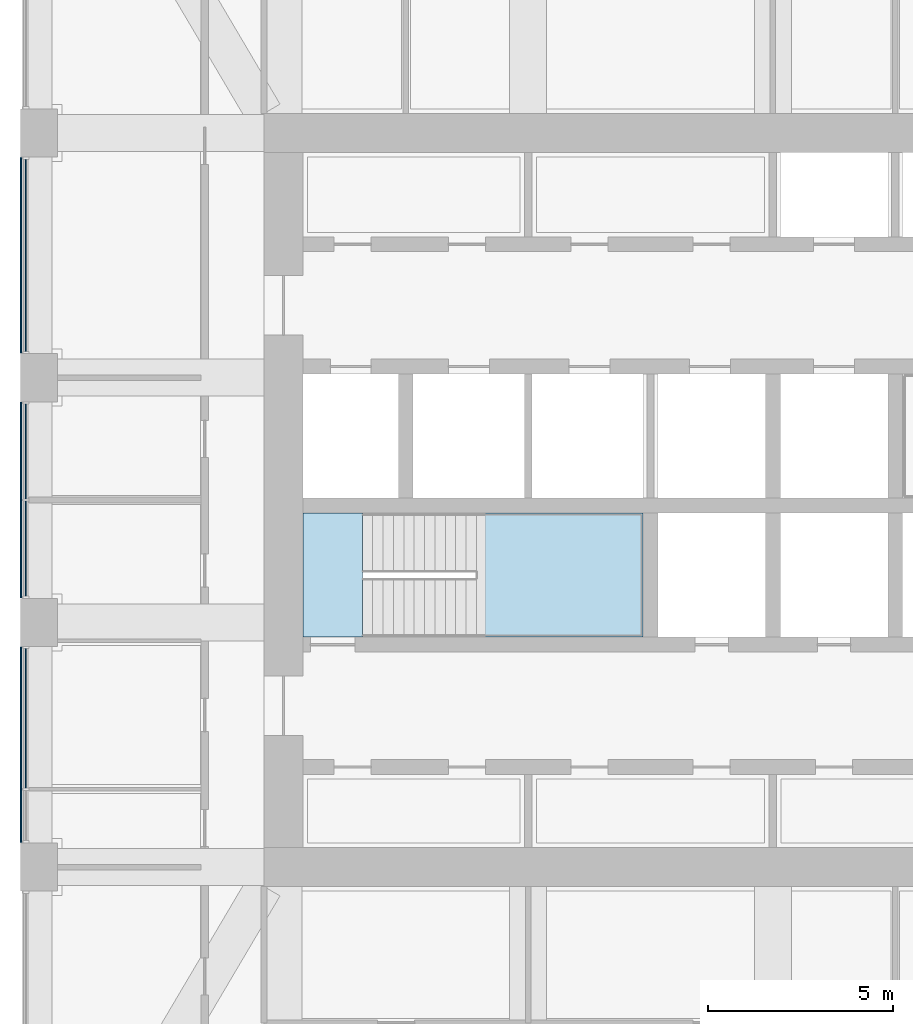
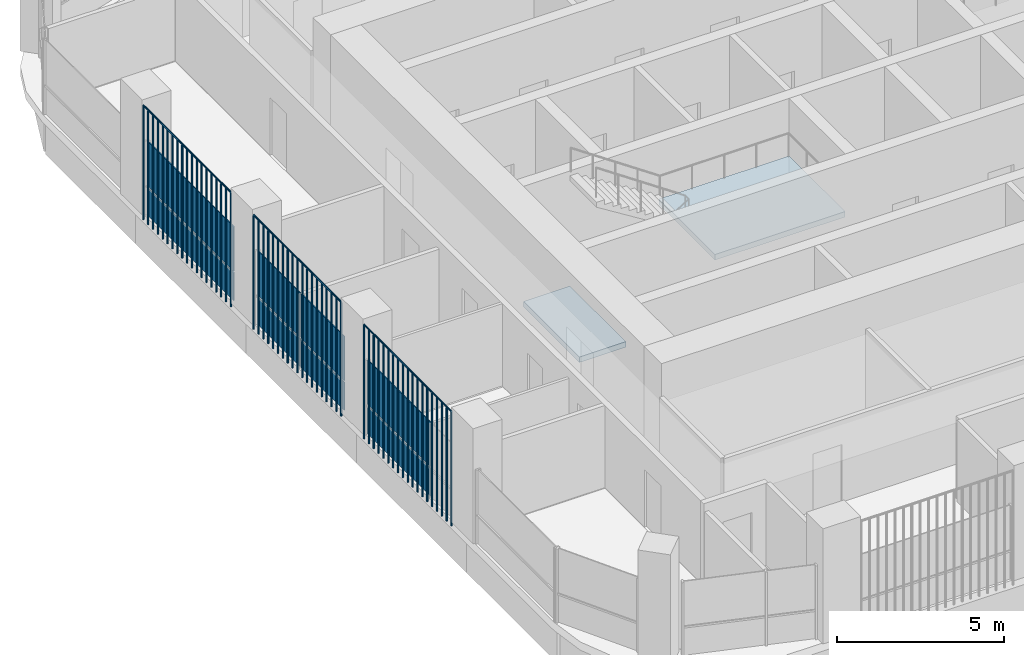
# One storey, part 9 of 21: 11 plates, 2 slabs, 4 elements without a shape of their own.
"""IFC4 building model written with IfcOpenShell, lengths in metres."""

from ifc_helpers import new_model, si_unit, direction, frame, origin, origin_2d, place, context, subcontext, project, spatial, polyline, rectangle, outline, extrude, material, layer, layer_set, type_object, element, aggregate, save


model = new_model("IFC4")

# Units and contexts
model_context = context("Model", 3, precision=1e-05, world=origin(), true_north=direction((0.0, 1.0)))
body_context = subcontext(model_context, "Body", "Model", "MODEL_VIEW")
ifc_project = project(units=[si_unit("LENGTHUNIT", "METRE"), si_unit("AREAUNIT", "SQUARE_METRE"), si_unit("VOLUMEUNIT", "CUBIC_METRE"), si_unit("PLANEANGLEUNIT", "RADIAN"), si_unit("MASSUNIT", "GRAM", prefix="KILO")], contexts=[model_context])

# Site, building, storey
site_placement = place(None, origin())
site = spatial("IfcSite", under=ifc_project, at=site_placement, CompositionType="ELEMENT")
building_placement = place(site_placement, origin())
building = spatial("IfcBuilding", under=site, at=building_placement, Name="Cobogo Forest Laboratory Tower", CompositionType="ELEMENT")
storey_placement = place(building_placement, frame((0.0, 0.0, 250.199951171875)))
storey = spatial("IfcBuildingStorey", under=building, at=storey_placement, Name="L57", CompositionType="ELEMENT", Elevation=250.199951171875)

# Curtain wall, plates
ifc_material_1 = material(Name="Aluminium curtain wall", Category="aluminium")
curtain_wall_type = type_object("IfcCurtainWallType", Name="CW-2 unitised curtain wall, solar control glazing, laboratory floors zones C and D", PredefinedType="USERDEFINED", material=ifc_material_1)
curtain_wall_1_placement = place(storey_placement, origin())
curtain_wall_1 = element("IfcCurtainWall", 1, at=curtain_wall_1_placement, inside=storey, type_object=curtain_wall_type, Name="Curtain wall 21 L57", ObjectType="UNITISED CURTAIN WALL", PredefinedType="USERDEFINED")
ifc_material_2 = material(Name="Solar control insulated glass", Category="glass")
ifc_layer_1 = layer(ifc_material_2, 0.031982421875)
ifc_layer_set_1 = layer_set([ifc_layer_1], Name="GP-2 solar control glass unit 32")
plate_type_1 = type_object("IfcPlateType", Name="GP-2 solar control glass unit 32", PredefinedType="CURTAIN_PANEL", material=ifc_layer_set_1)
plate_1_placement = place(storey_placement, frame((6.25, 29.699951171875, 0.0), z_axis=(0.0, 0.0, 1.0), x_axis=(0.0, -1.0, 0.0)))
plate_1 = element("IfcPlate", 2, at=plate_1_placement, type_object=plate_type_1, Name="CW-2 panel 1.1", PredefinedType="CURTAIN_PANEL", context=body_context, shape_type="SweptSolid", body=[
    extrude(rectangle(XDim=5.179931640625, YDim=0.031982421875, at=origin_2d()), origin(), (0.0, 0.0, 1.0), 1.02001953125),
])
plate_2_placement = place(storey_placement, frame((6.25, 29.699951171875, 1.080078125), z_axis=(0.0, 0.0, 1.0), x_axis=(0.0, -1.0, 0.0)))
plate_2 = element("IfcPlate", 3, at=plate_2_placement, type_object=plate_type_1, Name="CW-2 panel 1.2", PredefinedType="CURTAIN_PANEL", context=body_context, shape_type="SweptSolid", body=[
    extrude(rectangle(XDim=5.179931640625, YDim=0.031982421875, at=origin_2d()), origin(), (0.0, 0.0, 1.0), 1.6201171875),
])
aggregate(curtain_wall_1, [plate_1, plate_2])

curtain_wall_2_placement = place(storey_placement, origin())
curtain_wall_2 = element("IfcCurtainWall", 4, at=curtain_wall_2_placement, inside=storey, type_object=curtain_wall_type, Name="Curtain wall 22 L57", ObjectType="UNITISED CURTAIN WALL", PredefinedType="USERDEFINED")
plate_3_placement = place(storey_placement, frame((6.25, 24.409912109375, 0.0), z_axis=(0.0, 0.0, 1.0), x_axis=(0.0, -1.0, 0.0)))
plate_3 = element("IfcPlate", 5, at=plate_3_placement, type_object=plate_type_1, Name="CW-2 panel 1.1", PredefinedType="CURTAIN_PANEL", context=body_context, shape_type="SweptSolid", body=[
    extrude(rectangle(XDim=2.56005859375, YDim=0.031982421875, at=origin_2d()), origin(), (0.0, 0.0, 1.0), 1.02001953125),
])
plate_4_placement = place(storey_placement, frame((6.25, 24.409912109375, 1.080078125), z_axis=(0.0, 0.0, 1.0), x_axis=(0.0, -1.0, 0.0)))
plate_4 = element("IfcPlate", 6, at=plate_4_placement, type_object=plate_type_1, Name="CW-2 panel 1.2", PredefinedType="CURTAIN_PANEL", context=body_context, shape_type="SweptSolid", body=[
    extrude(rectangle(XDim=2.56005859375, YDim=0.031982421875, at=origin_2d()), origin(), (0.0, 0.0, 1.0), 1.6201171875),
])
plate_5_placement = place(storey_placement, frame((6.25, 21.7900390625, 0.0), z_axis=(0.0, 0.0, 1.0), x_axis=(0.0, -1.0, 0.0)))
plate_5 = element("IfcPlate", 7, at=plate_5_placement, type_object=plate_type_1, Name="CW-2 panel 2.1", PredefinedType="CURTAIN_PANEL", context=body_context, shape_type="SweptSolid", body=[
    extrude(rectangle(XDim=2.56005859375, YDim=0.031982421875, at=origin_2d()), origin(), (0.0, 0.0, 1.0), 1.02001953125),
])
plate_6_placement = place(storey_placement, frame((6.25, 21.7900390625, 1.080078125), z_axis=(0.0, 0.0, 1.0), x_axis=(0.0, -1.0, 0.0)))
plate_6 = element("IfcPlate", 8, at=plate_6_placement, type_object=plate_type_1, Name="CW-2 panel 2.2", PredefinedType="CURTAIN_PANEL", context=body_context, shape_type="SweptSolid", body=[
    extrude(rectangle(XDim=2.56005859375, YDim=0.031982421875, at=origin_2d()), origin(), (0.0, 0.0, 1.0), 1.6201171875),
])
aggregate(curtain_wall_2, [plate_3, plate_4, plate_5, plate_6])

curtain_wall_3_placement = place(storey_placement, origin())
curtain_wall_3 = element("IfcCurtainWall", 9, at=curtain_wall_3_placement, inside=storey, type_object=curtain_wall_type, Name="Curtain wall 23 L57", ObjectType="UNITISED CURTAIN WALL", PredefinedType="USERDEFINED")
plate_7_placement = place(storey_placement, frame((6.25, 17.2099609375, 0.0), z_axis=(0.0, 0.0, 1.0), x_axis=(0.0, -1.0, 0.0)))
plate_7 = element("IfcPlate", 10, at=plate_7_placement, type_object=plate_type_1, Name="CW-2 panel 1.1", PredefinedType="CURTAIN_PANEL", context=body_context, shape_type="SweptSolid", body=[
    extrude(rectangle(XDim=3.760009765625, YDim=0.031982421875, at=origin_2d()), origin(), (0.0, 0.0, 1.0), 1.02001953125),
])
plate_8_placement = place(storey_placement, frame((6.25, 17.2099609375, 1.080078125), z_axis=(0.0, 0.0, 1.0), x_axis=(0.0, -1.0, 0.0)))
plate_8 = element("IfcPlate", 11, at=plate_8_placement, type_object=plate_type_1, Name="CW-2 panel 1.2", PredefinedType="CURTAIN_PANEL", context=body_context, shape_type="SweptSolid", body=[
    extrude(rectangle(XDim=3.760009765625, YDim=0.031982421875, at=origin_2d()), origin(), (0.0, 0.0, 1.0), 1.6201171875),
])
aggregate(curtain_wall_3, [plate_7, plate_8])

# Stair, slabs
ifc_material_3 = material(Name="Precast concrete HA-40 (C40/50)", Category="concrete")
stair_type = type_object("IfcStairType", Name="ST24 exit stair 24 risers", PredefinedType="HALF_TURN_STAIR", material=ifc_material_3)
stair_placement = place(storey_placement, origin())
stair = element("IfcStair", 12, at=stair_placement, inside=storey, type_object=stair_type, Name="Stair 1 L57 to L58", PredefinedType="HALF_TURN_STAIR")
ifc_material_4 = material(Name="Concrete HA-40 (C40/50)", Category="concrete")
ifc_layer_2 = layer(ifc_material_4, 0.199951171875)
ifc_layer_set_2 = layer_set([ifc_layer_2], Name="SL stair landing 200")
slab_type = type_object("IfcSlabType", Name="SL stair landing 200", PredefinedType="LANDING", material=ifc_layer_set_2)
slab_1_placement = place(storey_placement, frame((0.0, 0.0, -0.199951171875)))
slab_1 = element("IfcSlab", 13, at=slab_1_placement, type_object=slab_type, Name="ST1 landing 1", PredefinedType="LANDING", context=body_context, shape_type="SweptSolid", body=[
    extrude(outline(polyline([(13.72509765625, 19.39990234375), (15.326904296875, 19.39990234375), (15.326904296875, 22.75), (13.72509765625, 22.75), (13.72509765625, 19.39990234375)])), origin(), (0.0, 0.0, 1.0), 0.199951171875),
])
slab_2_placement = place(storey_placement, frame((0.0, 0.0, 1.900146484375)))
slab_2 = element("IfcSlab", 14, at=slab_2_placement, type_object=slab_type, Name="ST1 landing 2", PredefinedType="LANDING", context=body_context, shape_type="SweptSolid", body=[
    extrude(outline(polyline([(18.403076171875, 19.39990234375), (22.89990234375, 19.39990234375), (22.89990234375, 22.75), (18.403076171875, 22.75), (18.403076171875, 19.39990234375)])), origin(), (0.0, 0.0, 1.0), 0.199951171875),
])
aggregate(stair, [slab_1, slab_2])

# Plates
ifc_material_5 = material(Name="Terracotta", Category="masonry")
plate_type_2 = type_object("IfcPlateType", Name="TB1 terracotta baguette screen", PredefinedType="USERDEFINED", material=ifc_material_5)
plate_9_placement = place(storey_placement, frame((6.1220703125, 13.88134765625, -0.14990234375)))
element("IfcPlate", 15, at=plate_9_placement, inside=storey, type_object=plate_type_2, Name="Baguette screen W1 L57", ObjectType="BAGUETTE SCREEN", PredefinedType="USERDEFINED", context=body_context, shape_type="SweptSolid", body=[
    extrude(outline(polyline([(0.02880859375, 0.011962890625), (0.011962890625, 0.02880859375), (-0.011962890625, 0.02880859375), (-0.02880859375, 0.011962890625), (-0.02880859375, -0.011962890625), (-0.011962890625, -0.02880859375), (0.011962890625, -0.02880859375), (0.02880859375, -0.011962890625), (0.02880859375, 0.011962890625)])), frame((0.0, 0.0, 4.168701171875), z_axis=(0.0, 1.0, 0.0), x_axis=(-1.0, 0.0, 0.0)), (0.0, 0.0, 1.0), 5.2373046875),
    extrude(outline(polyline([(0.02880859375, 0.011962890625), (0.011962890625, 0.02880859375), (-0.011962890625, 0.02880859375), (-0.02880859375, 0.011962890625), (-0.02880859375, -0.011962890625), (-0.011962890625, -0.02880859375), (0.011962890625, -0.02880859375), (0.02880859375, -0.011962890625), (0.02880859375, 0.011962890625)])), origin(), (0.0, 0.0, 1.0), 4.137451171875),
    extrude(outline(polyline([(0.02880859375, 0.011962890625), (0.011962890625, 0.02880859375), (-0.011962890625, 0.02880859375), (-0.02880859375, 0.011962890625), (-0.02880859375, -0.011962890625), (-0.011962890625, -0.02880859375), (0.011962890625, -0.02880859375), (0.02880859375, -0.011962890625), (0.02880859375, 0.011962890625)])), frame((0.0, 0.291015625, 0.0)), (0.0, 0.0, 1.0), 4.137451171875),
    extrude(outline(polyline([(0.02880859375, 0.011962890625), (0.011962890625, 0.02880859375), (-0.011962890625, 0.02880859375), (-0.02880859375, 0.011962890625), (-0.02880859375, -0.011962890625), (-0.011962890625, -0.02880859375), (0.011962890625, -0.02880859375), (0.02880859375, -0.011962890625), (0.02880859375, 0.011962890625)])), frame((0.0, 0.58203125, 0.0)), (0.0, 0.0, 1.0), 4.137451171875),
    extrude(outline(polyline([(0.02880859375, 0.011962890625), (0.011962890625, 0.02880859375), (-0.011962890625, 0.02880859375), (-0.02880859375, 0.011962890625), (-0.02880859375, -0.011962890625), (-0.011962890625, -0.02880859375), (0.011962890625, -0.02880859375), (0.02880859375, -0.011962890625), (0.02880859375, 0.011962890625)])), frame((0.0, 0.872802734375, 0.0)), (0.0, 0.0, 1.0), 4.137451171875),
    extrude(outline(polyline([(0.02880859375, 0.011962890625), (0.011962890625, 0.02880859375), (-0.011962890625, 0.02880859375), (-0.02880859375, 0.011962890625), (-0.02880859375, -0.011962890625), (-0.011962890625, -0.02880859375), (0.011962890625, -0.02880859375), (0.02880859375, -0.011962890625), (0.02880859375, 0.011962890625)])), frame((0.0, 1.163818359375, 0.0)), (0.0, 0.0, 1.0), 4.137451171875),
    extrude(outline(polyline([(0.02880859375, 0.011962890625), (0.011962890625, 0.02880859375), (-0.011962890625, 0.02880859375), (-0.02880859375, 0.011962890625), (-0.02880859375, -0.011962890625), (-0.011962890625, -0.02880859375), (0.011962890625, -0.02880859375), (0.02880859375, -0.011962890625), (0.02880859375, 0.011962890625)])), frame((0.0, 1.454833984375, 0.0)), (0.0, 0.0, 1.0), 4.137451171875),
    extrude(outline(polyline([(0.02880859375, 0.011962890625), (0.011962890625, 0.02880859375), (-0.011962890625, 0.02880859375), (-0.02880859375, 0.011962890625), (-0.02880859375, -0.011962890625), (-0.011962890625, -0.02880859375), (0.011962890625, -0.02880859375), (0.02880859375, -0.011962890625), (0.02880859375, 0.011962890625)])), frame((0.0, 1.745849609375, 0.0)), (0.0, 0.0, 1.0), 4.137451171875),
    extrude(outline(polyline([(0.02880859375, 0.011962890625), (0.011962890625, 0.02880859375), (-0.011962890625, 0.02880859375), (-0.02880859375, 0.011962890625), (-0.02880859375, -0.011962890625), (-0.011962890625, -0.02880859375), (0.011962890625, -0.02880859375), (0.02880859375, -0.011962890625), (0.02880859375, 0.011962890625)])), frame((0.0, 2.03662109375, 0.0)), (0.0, 0.0, 1.0), 4.137451171875),
    extrude(outline(polyline([(0.02880859375, 0.011962890625), (0.011962890625, 0.02880859375), (-0.011962890625, 0.02880859375), (-0.02880859375, 0.011962890625), (-0.02880859375, -0.011962890625), (-0.011962890625, -0.02880859375), (0.011962890625, -0.02880859375), (0.02880859375, -0.011962890625), (0.02880859375, 0.011962890625)])), frame((0.0, 2.32763671875, 0.0)), (0.0, 0.0, 1.0), 4.137451171875),
    extrude(outline(polyline([(0.02880859375, 0.011962890625), (0.011962890625, 0.02880859375), (-0.011962890625, 0.02880859375), (-0.02880859375, 0.011962890625), (-0.02880859375, -0.011962890625), (-0.011962890625, -0.02880859375), (0.011962890625, -0.02880859375), (0.02880859375, -0.011962890625), (0.02880859375, 0.011962890625)])), frame((0.0, 2.61865234375, 0.0)), (0.0, 0.0, 1.0), 4.137451171875),
    extrude(outline(polyline([(0.02880859375, 0.011962890625), (0.011962890625, 0.02880859375), (-0.011962890625, 0.02880859375), (-0.02880859375, 0.011962890625), (-0.02880859375, -0.011962890625), (-0.011962890625, -0.02880859375), (0.011962890625, -0.02880859375), (0.02880859375, -0.011962890625), (0.02880859375, 0.011962890625)])), frame((0.0, 2.90966796875, 0.0)), (0.0, 0.0, 1.0), 4.137451171875),
    extrude(outline(polyline([(0.02880859375, 0.011962890625), (0.011962890625, 0.02880859375), (-0.011962890625, 0.02880859375), (-0.02880859375, 0.011962890625), (-0.02880859375, -0.011962890625), (-0.011962890625, -0.02880859375), (0.011962890625, -0.02880859375), (0.02880859375, -0.011962890625), (0.02880859375, 0.011962890625)])), frame((0.0, 3.20068359375, 0.0)), (0.0, 0.0, 1.0), 4.137451171875),
    extrude(outline(polyline([(0.02880859375, 0.011962890625), (0.011962890625, 0.02880859375), (-0.011962890625, 0.02880859375), (-0.02880859375, 0.011962890625), (-0.02880859375, -0.011962890625), (-0.011962890625, -0.02880859375), (0.011962890625, -0.02880859375), (0.02880859375, -0.011962890625), (0.02880859375, 0.011962890625)])), frame((0.0, 3.491455078125, 0.0)), (0.0, 0.0, 1.0), 4.137451171875),
    extrude(outline(polyline([(0.02880859375, 0.011962890625), (0.011962890625, 0.02880859375), (-0.011962890625, 0.02880859375), (-0.02880859375, 0.011962890625), (-0.02880859375, -0.011962890625), (-0.011962890625, -0.02880859375), (0.011962890625, -0.02880859375), (0.02880859375, -0.011962890625), (0.02880859375, 0.011962890625)])), frame((0.0, 3.782470703125, 0.0)), (0.0, 0.0, 1.0), 4.137451171875),
    extrude(outline(polyline([(0.02880859375, 0.011962890625), (0.011962890625, 0.02880859375), (-0.011962890625, 0.02880859375), (-0.02880859375, 0.011962890625), (-0.02880859375, -0.011962890625), (-0.011962890625, -0.02880859375), (0.011962890625, -0.02880859375), (0.02880859375, -0.011962890625), (0.02880859375, 0.011962890625)])), frame((0.0, 4.073486328125, 0.0)), (0.0, 0.0, 1.0), 4.137451171875),
    extrude(outline(polyline([(0.02880859375, 0.011962890625), (0.011962890625, 0.02880859375), (-0.011962890625, 0.02880859375), (-0.02880859375, 0.011962890625), (-0.02880859375, -0.011962890625), (-0.011962890625, -0.02880859375), (0.011962890625, -0.02880859375), (0.02880859375, -0.011962890625), (0.02880859375, 0.011962890625)])), frame((0.0, 4.364501953125, 0.0)), (0.0, 0.0, 1.0), 4.137451171875),
    extrude(outline(polyline([(0.02880859375, 0.011962890625), (0.011962890625, 0.02880859375), (-0.011962890625, 0.02880859375), (-0.02880859375, 0.011962890625), (-0.02880859375, -0.011962890625), (-0.011962890625, -0.02880859375), (0.011962890625, -0.02880859375), (0.02880859375, -0.011962890625), (0.02880859375, 0.011962890625)])), frame((0.0, 4.6552734375, 0.0)), (0.0, 0.0, 1.0), 4.137451171875),
    extrude(outline(polyline([(0.02880859375, 0.011962890625), (0.011962890625, 0.02880859375), (-0.011962890625, 0.02880859375), (-0.02880859375, 0.011962890625), (-0.02880859375, -0.011962890625), (-0.011962890625, -0.02880859375), (0.011962890625, -0.02880859375), (0.02880859375, -0.011962890625), (0.02880859375, 0.011962890625)])), frame((0.0, 4.9462890625, 0.0)), (0.0, 0.0, 1.0), 4.137451171875),
    extrude(outline(polyline([(0.02880859375, 0.011962890625), (0.011962890625, 0.02880859375), (-0.011962890625, 0.02880859375), (-0.02880859375, 0.011962890625), (-0.02880859375, -0.011962890625), (-0.011962890625, -0.02880859375), (0.011962890625, -0.02880859375), (0.02880859375, -0.011962890625), (0.02880859375, 0.011962890625)])), frame((0.0, 5.2373046875, 0.0)), (0.0, 0.0, 1.0), 4.137451171875),
])
plate_10_placement = place(storey_placement, frame((6.1220703125, 20.481201171875, -0.14990234375)))
element("IfcPlate", 16, at=plate_10_placement, inside=storey, type_object=plate_type_2, Name="Baguette screen W2 L57", ObjectType="BAGUETTE SCREEN", PredefinedType="USERDEFINED", context=body_context, shape_type="SweptSolid", body=[
    extrude(outline(polyline([(0.02880859375, 0.011962890625), (0.011962890625, 0.02880859375), (-0.011962890625, 0.02880859375), (-0.02880859375, 0.011962890625), (-0.02880859375, -0.011962890625), (-0.011962890625, -0.02880859375), (0.011962890625, -0.02880859375), (0.02880859375, -0.011962890625), (0.02880859375, 0.011962890625)])), frame((0.0, 0.0, 4.168701171875), z_axis=(0.0, 1.0, 0.0), x_axis=(-1.0, 0.0, 0.0)), (0.0, 0.0, 1.0), 5.237548828125),
    extrude(outline(polyline([(0.02880859375, 0.011962890625), (0.011962890625, 0.02880859375), (-0.011962890625, 0.02880859375), (-0.02880859375, 0.011962890625), (-0.02880859375, -0.011962890625), (-0.011962890625, -0.02880859375), (0.011962890625, -0.02880859375), (0.02880859375, -0.011962890625), (0.02880859375, 0.011962890625)])), origin(), (0.0, 0.0, 1.0), 4.137451171875),
    extrude(outline(polyline([(0.02880859375, 0.011962890625), (0.011962890625, 0.02880859375), (-0.011962890625, 0.02880859375), (-0.02880859375, 0.011962890625), (-0.02880859375, -0.011962890625), (-0.011962890625, -0.02880859375), (0.011962890625, -0.02880859375), (0.02880859375, -0.011962890625), (0.02880859375, 0.011962890625)])), frame((0.0, 0.291015625, 0.0)), (0.0, 0.0, 1.0), 4.137451171875),
    extrude(outline(polyline([(0.02880859375, 0.011962890625), (0.011962890625, 0.02880859375), (-0.011962890625, 0.02880859375), (-0.02880859375, 0.011962890625), (-0.02880859375, -0.011962890625), (-0.011962890625, -0.02880859375), (0.011962890625, -0.02880859375), (0.02880859375, -0.011962890625), (0.02880859375, 0.011962890625)])), frame((0.0, 0.58203125, 0.0)), (0.0, 0.0, 1.0), 4.137451171875),
    extrude(outline(polyline([(0.02880859375, 0.011962890625), (0.011962890625, 0.02880859375), (-0.011962890625, 0.02880859375), (-0.02880859375, 0.011962890625), (-0.02880859375, -0.011962890625), (-0.011962890625, -0.02880859375), (0.011962890625, -0.02880859375), (0.02880859375, -0.011962890625), (0.02880859375, 0.011962890625)])), frame((0.0, 0.873046875, 0.0)), (0.0, 0.0, 1.0), 4.137451171875),
    extrude(outline(polyline([(0.02880859375, 0.011962890625), (0.011962890625, 0.02880859375), (-0.011962890625, 0.02880859375), (-0.02880859375, 0.011962890625), (-0.02880859375, -0.011962890625), (-0.011962890625, -0.02880859375), (0.011962890625, -0.02880859375), (0.02880859375, -0.011962890625), (0.02880859375, 0.011962890625)])), frame((0.0, 1.163818359375, 0.0)), (0.0, 0.0, 1.0), 4.137451171875),
    extrude(outline(polyline([(0.02880859375, 0.011962890625), (0.011962890625, 0.02880859375), (-0.011962890625, 0.02880859375), (-0.02880859375, 0.011962890625), (-0.02880859375, -0.011962890625), (-0.011962890625, -0.02880859375), (0.011962890625, -0.02880859375), (0.02880859375, -0.011962890625), (0.02880859375, 0.011962890625)])), frame((0.0, 1.454833984375, 0.0)), (0.0, 0.0, 1.0), 4.137451171875),
    extrude(outline(polyline([(0.02880859375, 0.011962890625), (0.011962890625, 0.02880859375), (-0.011962890625, 0.02880859375), (-0.02880859375, 0.011962890625), (-0.02880859375, -0.011962890625), (-0.011962890625, -0.02880859375), (0.011962890625, -0.02880859375), (0.02880859375, -0.011962890625), (0.02880859375, 0.011962890625)])), frame((0.0, 1.745849609375, 0.0)), (0.0, 0.0, 1.0), 4.137451171875),
    extrude(outline(polyline([(0.02880859375, 0.011962890625), (0.011962890625, 0.02880859375), (-0.011962890625, 0.02880859375), (-0.02880859375, 0.011962890625), (-0.02880859375, -0.011962890625), (-0.011962890625, -0.02880859375), (0.011962890625, -0.02880859375), (0.02880859375, -0.011962890625), (0.02880859375, 0.011962890625)])), frame((0.0, 2.036865234375, 0.0)), (0.0, 0.0, 1.0), 4.137451171875),
    extrude(outline(polyline([(0.02880859375, 0.011962890625), (0.011962890625, 0.02880859375), (-0.011962890625, 0.02880859375), (-0.02880859375, 0.011962890625), (-0.02880859375, -0.011962890625), (-0.011962890625, -0.02880859375), (0.011962890625, -0.02880859375), (0.02880859375, -0.011962890625), (0.02880859375, 0.011962890625)])), frame((0.0, 2.327880859375, 0.0)), (0.0, 0.0, 1.0), 4.137451171875),
    extrude(outline(polyline([(0.02880859375, 0.011962890625), (0.011962890625, 0.02880859375), (-0.011962890625, 0.02880859375), (-0.02880859375, 0.011962890625), (-0.02880859375, -0.011962890625), (-0.011962890625, -0.02880859375), (0.011962890625, -0.02880859375), (0.02880859375, -0.011962890625), (0.02880859375, 0.011962890625)])), frame((0.0, 2.61865234375, 0.0)), (0.0, 0.0, 1.0), 4.137451171875),
    extrude(outline(polyline([(0.02880859375, 0.011962890625), (0.011962890625, 0.02880859375), (-0.011962890625, 0.02880859375), (-0.02880859375, 0.011962890625), (-0.02880859375, -0.011962890625), (-0.011962890625, -0.02880859375), (0.011962890625, -0.02880859375), (0.02880859375, -0.011962890625), (0.02880859375, 0.011962890625)])), frame((0.0, 2.90966796875, 0.0)), (0.0, 0.0, 1.0), 4.137451171875),
    extrude(outline(polyline([(0.02880859375, 0.011962890625), (0.011962890625, 0.02880859375), (-0.011962890625, 0.02880859375), (-0.02880859375, 0.011962890625), (-0.02880859375, -0.011962890625), (-0.011962890625, -0.02880859375), (0.011962890625, -0.02880859375), (0.02880859375, -0.011962890625), (0.02880859375, 0.011962890625)])), frame((0.0, 3.20068359375, 0.0)), (0.0, 0.0, 1.0), 4.137451171875),
    extrude(outline(polyline([(0.02880859375, 0.011962890625), (0.011962890625, 0.02880859375), (-0.011962890625, 0.02880859375), (-0.02880859375, 0.011962890625), (-0.02880859375, -0.011962890625), (-0.011962890625, -0.02880859375), (0.011962890625, -0.02880859375), (0.02880859375, -0.011962890625), (0.02880859375, 0.011962890625)])), frame((0.0, 3.49169921875, 0.0)), (0.0, 0.0, 1.0), 4.137451171875),
    extrude(outline(polyline([(0.02880859375, 0.011962890625), (0.011962890625, 0.02880859375), (-0.011962890625, 0.02880859375), (-0.02880859375, 0.011962890625), (-0.02880859375, -0.011962890625), (-0.011962890625, -0.02880859375), (0.011962890625, -0.02880859375), (0.02880859375, -0.011962890625), (0.02880859375, 0.011962890625)])), frame((0.0, 3.78271484375, 0.0)), (0.0, 0.0, 1.0), 4.137451171875),
    extrude(outline(polyline([(0.02880859375, 0.011962890625), (0.011962890625, 0.02880859375), (-0.011962890625, 0.02880859375), (-0.02880859375, 0.011962890625), (-0.02880859375, -0.011962890625), (-0.011962890625, -0.02880859375), (0.011962890625, -0.02880859375), (0.02880859375, -0.011962890625), (0.02880859375, 0.011962890625)])), frame((0.0, 4.07373046875, 0.0)), (0.0, 0.0, 1.0), 4.137451171875),
    extrude(outline(polyline([(0.02880859375, 0.011962890625), (0.011962890625, 0.02880859375), (-0.011962890625, 0.02880859375), (-0.02880859375, 0.011962890625), (-0.02880859375, -0.011962890625), (-0.011962890625, -0.02880859375), (0.011962890625, -0.02880859375), (0.02880859375, -0.011962890625), (0.02880859375, 0.011962890625)])), frame((0.0, 4.36474609375, 0.0)), (0.0, 0.0, 1.0), 4.137451171875),
    extrude(outline(polyline([(0.02880859375, 0.011962890625), (0.011962890625, 0.02880859375), (-0.011962890625, 0.02880859375), (-0.02880859375, 0.011962890625), (-0.02880859375, -0.011962890625), (-0.011962890625, -0.02880859375), (0.011962890625, -0.02880859375), (0.02880859375, -0.011962890625), (0.02880859375, 0.011962890625)])), frame((0.0, 4.655517578125, 0.0)), (0.0, 0.0, 1.0), 4.137451171875),
    extrude(outline(polyline([(0.02880859375, 0.011962890625), (0.011962890625, 0.02880859375), (-0.011962890625, 0.02880859375), (-0.02880859375, 0.011962890625), (-0.02880859375, -0.011962890625), (-0.011962890625, -0.02880859375), (0.011962890625, -0.02880859375), (0.02880859375, -0.011962890625), (0.02880859375, 0.011962890625)])), frame((0.0, 4.946533203125, 0.0)), (0.0, 0.0, 1.0), 4.137451171875),
    extrude(outline(polyline([(0.02880859375, 0.011962890625), (0.011962890625, 0.02880859375), (-0.011962890625, 0.02880859375), (-0.02880859375, 0.011962890625), (-0.02880859375, -0.011962890625), (-0.011962890625, -0.02880859375), (0.011962890625, -0.02880859375), (0.02880859375, -0.011962890625), (0.02880859375, 0.011962890625)])), frame((0.0, 5.237548828125, 0.0)), (0.0, 0.0, 1.0), 4.137451171875),
])
plate_11_placement = place(storey_placement, frame((6.1220703125, 27.081298828125, -0.14990234375)))
element("IfcPlate", 17, at=plate_11_placement, inside=storey, type_object=plate_type_2, Name="Baguette screen W3 L57", ObjectType="BAGUETTE SCREEN", PredefinedType="USERDEFINED", context=body_context, shape_type="SweptSolid", body=[
    extrude(outline(polyline([(0.02880859375, 0.011962890625), (0.011962890625, 0.02880859375), (-0.011962890625, 0.02880859375), (-0.02880859375, 0.011962890625), (-0.02880859375, -0.011962890625), (-0.011962890625, -0.02880859375), (0.011962890625, -0.02880859375), (0.02880859375, -0.011962890625), (0.02880859375, 0.011962890625)])), frame((0.0, 0.0, 4.168701171875), z_axis=(0.0, 1.0, 0.0), x_axis=(-1.0, 0.0, 0.0)), (0.0, 0.0, 1.0), 5.237548828125),
    extrude(outline(polyline([(0.02880859375, 0.011962890625), (0.011962890625, 0.02880859375), (-0.011962890625, 0.02880859375), (-0.02880859375, 0.011962890625), (-0.02880859375, -0.011962890625), (-0.011962890625, -0.02880859375), (0.011962890625, -0.02880859375), (0.02880859375, -0.011962890625), (0.02880859375, 0.011962890625)])), origin(), (0.0, 0.0, 1.0), 4.137451171875),
    extrude(outline(polyline([(0.02880859375, 0.011962890625), (0.011962890625, 0.02880859375), (-0.011962890625, 0.02880859375), (-0.02880859375, 0.011962890625), (-0.02880859375, -0.011962890625), (-0.011962890625, -0.02880859375), (0.011962890625, -0.02880859375), (0.02880859375, -0.011962890625), (0.02880859375, 0.011962890625)])), frame((0.0, 0.291015625, 0.0)), (0.0, 0.0, 1.0), 4.137451171875),
    extrude(outline(polyline([(0.02880859375, 0.011962890625), (0.011962890625, 0.02880859375), (-0.011962890625, 0.02880859375), (-0.02880859375, 0.011962890625), (-0.02880859375, -0.011962890625), (-0.011962890625, -0.02880859375), (0.011962890625, -0.02880859375), (0.02880859375, -0.011962890625), (0.02880859375, 0.011962890625)])), frame((0.0, 0.58203125, 0.0)), (0.0, 0.0, 1.0), 4.137451171875),
    extrude(outline(polyline([(0.02880859375, 0.011962890625), (0.011962890625, 0.02880859375), (-0.011962890625, 0.02880859375), (-0.02880859375, 0.011962890625), (-0.02880859375, -0.011962890625), (-0.011962890625, -0.02880859375), (0.011962890625, -0.02880859375), (0.02880859375, -0.011962890625), (0.02880859375, 0.011962890625)])), frame((0.0, 0.873046875, 0.0)), (0.0, 0.0, 1.0), 4.137451171875),
    extrude(outline(polyline([(0.02880859375, 0.011962890625), (0.011962890625, 0.02880859375), (-0.011962890625, 0.02880859375), (-0.02880859375, 0.011962890625), (-0.02880859375, -0.011962890625), (-0.011962890625, -0.02880859375), (0.011962890625, -0.02880859375), (0.02880859375, -0.011962890625), (0.02880859375, 0.011962890625)])), frame((0.0, 1.163818359375, 0.0)), (0.0, 0.0, 1.0), 4.137451171875),
    extrude(outline(polyline([(0.02880859375, 0.011962890625), (0.011962890625, 0.02880859375), (-0.011962890625, 0.02880859375), (-0.02880859375, 0.011962890625), (-0.02880859375, -0.011962890625), (-0.011962890625, -0.02880859375), (0.011962890625, -0.02880859375), (0.02880859375, -0.011962890625), (0.02880859375, 0.011962890625)])), frame((0.0, 1.454833984375, 0.0)), (0.0, 0.0, 1.0), 4.137451171875),
    extrude(outline(polyline([(0.02880859375, 0.011962890625), (0.011962890625, 0.02880859375), (-0.011962890625, 0.02880859375), (-0.02880859375, 0.011962890625), (-0.02880859375, -0.011962890625), (-0.011962890625, -0.02880859375), (0.011962890625, -0.02880859375), (0.02880859375, -0.011962890625), (0.02880859375, 0.011962890625)])), frame((0.0, 1.745849609375, 0.0)), (0.0, 0.0, 1.0), 4.137451171875),
    extrude(outline(polyline([(0.02880859375, 0.011962890625), (0.011962890625, 0.02880859375), (-0.011962890625, 0.02880859375), (-0.02880859375, 0.011962890625), (-0.02880859375, -0.011962890625), (-0.011962890625, -0.02880859375), (0.011962890625, -0.02880859375), (0.02880859375, -0.011962890625), (0.02880859375, 0.011962890625)])), frame((0.0, 2.036865234375, 0.0)), (0.0, 0.0, 1.0), 4.137451171875),
    extrude(outline(polyline([(0.02880859375, 0.011962890625), (0.011962890625, 0.02880859375), (-0.011962890625, 0.02880859375), (-0.02880859375, 0.011962890625), (-0.02880859375, -0.011962890625), (-0.011962890625, -0.02880859375), (0.011962890625, -0.02880859375), (0.02880859375, -0.011962890625), (0.02880859375, 0.011962890625)])), frame((0.0, 2.327880859375, 0.0)), (0.0, 0.0, 1.0), 4.137451171875),
    extrude(outline(polyline([(0.02880859375, 0.011962890625), (0.011962890625, 0.02880859375), (-0.011962890625, 0.02880859375), (-0.02880859375, 0.011962890625), (-0.02880859375, -0.011962890625), (-0.011962890625, -0.02880859375), (0.011962890625, -0.02880859375), (0.02880859375, -0.011962890625), (0.02880859375, 0.011962890625)])), frame((0.0, 2.61865234375, 0.0)), (0.0, 0.0, 1.0), 4.137451171875),
    extrude(outline(polyline([(0.02880859375, 0.011962890625), (0.011962890625, 0.02880859375), (-0.011962890625, 0.02880859375), (-0.02880859375, 0.011962890625), (-0.02880859375, -0.011962890625), (-0.011962890625, -0.02880859375), (0.011962890625, -0.02880859375), (0.02880859375, -0.011962890625), (0.02880859375, 0.011962890625)])), frame((0.0, 2.90966796875, 0.0)), (0.0, 0.0, 1.0), 4.137451171875),
    extrude(outline(polyline([(0.02880859375, 0.011962890625), (0.011962890625, 0.02880859375), (-0.011962890625, 0.02880859375), (-0.02880859375, 0.011962890625), (-0.02880859375, -0.011962890625), (-0.011962890625, -0.02880859375), (0.011962890625, -0.02880859375), (0.02880859375, -0.011962890625), (0.02880859375, 0.011962890625)])), frame((0.0, 3.20068359375, 0.0)), (0.0, 0.0, 1.0), 4.137451171875),
    extrude(outline(polyline([(0.02880859375, 0.011962890625), (0.011962890625, 0.02880859375), (-0.011962890625, 0.02880859375), (-0.02880859375, 0.011962890625), (-0.02880859375, -0.011962890625), (-0.011962890625, -0.02880859375), (0.011962890625, -0.02880859375), (0.02880859375, -0.011962890625), (0.02880859375, 0.011962890625)])), frame((0.0, 3.49169921875, 0.0)), (0.0, 0.0, 1.0), 4.137451171875),
    extrude(outline(polyline([(0.02880859375, 0.011962890625), (0.011962890625, 0.02880859375), (-0.011962890625, 0.02880859375), (-0.02880859375, 0.011962890625), (-0.02880859375, -0.011962890625), (-0.011962890625, -0.02880859375), (0.011962890625, -0.02880859375), (0.02880859375, -0.011962890625), (0.02880859375, 0.011962890625)])), frame((0.0, 3.78271484375, 0.0)), (0.0, 0.0, 1.0), 4.137451171875),
    extrude(outline(polyline([(0.02880859375, 0.011962890625), (0.011962890625, 0.02880859375), (-0.011962890625, 0.02880859375), (-0.02880859375, 0.011962890625), (-0.02880859375, -0.011962890625), (-0.011962890625, -0.02880859375), (0.011962890625, -0.02880859375), (0.02880859375, -0.011962890625), (0.02880859375, 0.011962890625)])), frame((0.0, 4.07373046875, 0.0)), (0.0, 0.0, 1.0), 4.137451171875),
    extrude(outline(polyline([(0.02880859375, 0.011962890625), (0.011962890625, 0.02880859375), (-0.011962890625, 0.02880859375), (-0.02880859375, 0.011962890625), (-0.02880859375, -0.011962890625), (-0.011962890625, -0.02880859375), (0.011962890625, -0.02880859375), (0.02880859375, -0.011962890625), (0.02880859375, 0.011962890625)])), frame((0.0, 4.36474609375, 0.0)), (0.0, 0.0, 1.0), 4.137451171875),
    extrude(outline(polyline([(0.02880859375, 0.011962890625), (0.011962890625, 0.02880859375), (-0.011962890625, 0.02880859375), (-0.02880859375, 0.011962890625), (-0.02880859375, -0.011962890625), (-0.011962890625, -0.02880859375), (0.011962890625, -0.02880859375), (0.02880859375, -0.011962890625), (0.02880859375, 0.011962890625)])), frame((0.0, 4.655517578125, 0.0)), (0.0, 0.0, 1.0), 4.137451171875),
    extrude(outline(polyline([(0.02880859375, 0.011962890625), (0.011962890625, 0.02880859375), (-0.011962890625, 0.02880859375), (-0.02880859375, 0.011962890625), (-0.02880859375, -0.011962890625), (-0.011962890625, -0.02880859375), (0.011962890625, -0.02880859375), (0.02880859375, -0.011962890625), (0.02880859375, 0.011962890625)])), frame((0.0, 4.946533203125, 0.0)), (0.0, 0.0, 1.0), 4.137451171875),
    extrude(outline(polyline([(0.02880859375, 0.011962890625), (0.011962890625, 0.02880859375), (-0.011962890625, 0.02880859375), (-0.02880859375, 0.011962890625), (-0.02880859375, -0.011962890625), (-0.011962890625, -0.02880859375), (0.011962890625, -0.02880859375), (0.02880859375, -0.011962890625), (0.02880859375, 0.011962890625)])), frame((0.0, 5.237548828125, 0.0)), (0.0, 0.0, 1.0), 4.137451171875),
])

save(model, "model.ifc")
